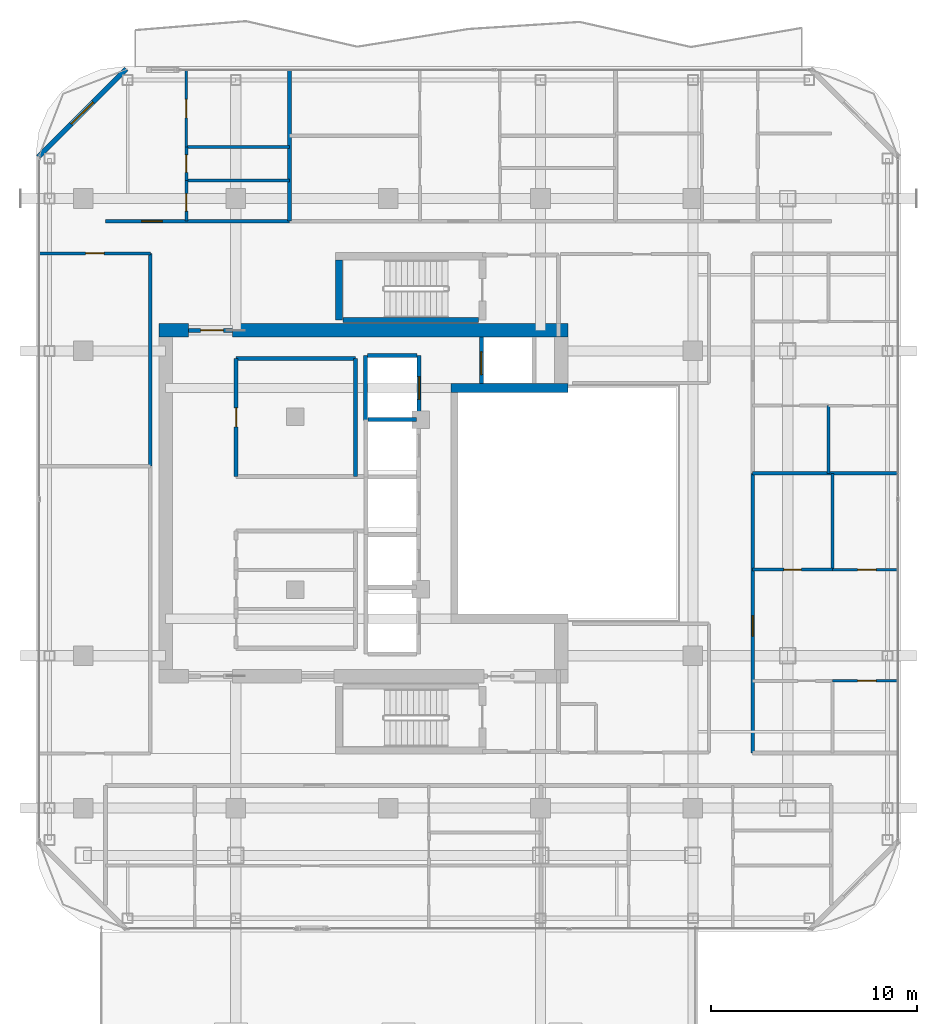
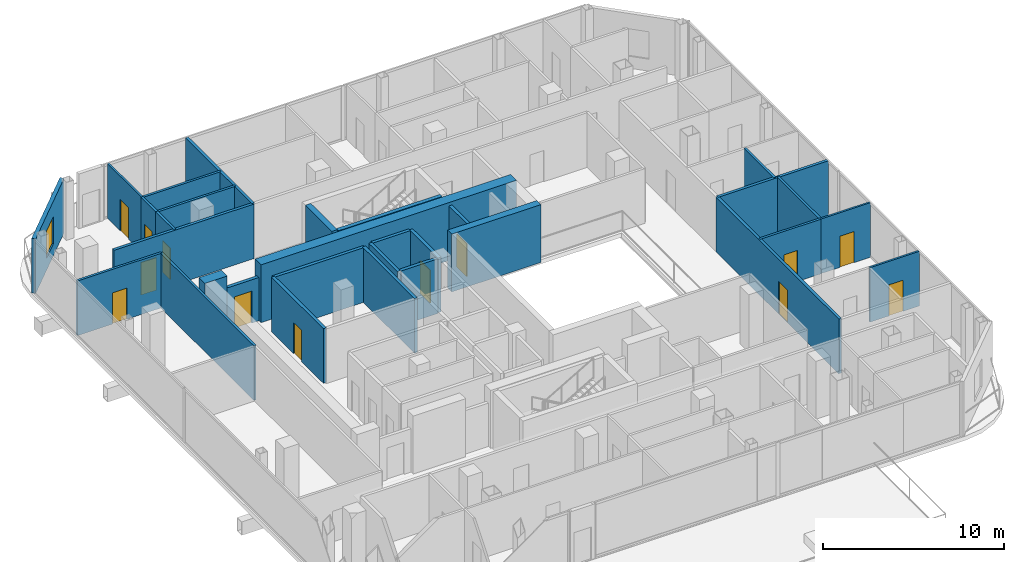
# One storey, part 20 of 25: 31 walls, 13 doors, 1 window, 14 openings.
"""IFC4 building model written with IfcOpenShell, lengths in metres."""

from ifc_helpers import new_model, si_unit, direction, frame, frame_2d, origin, place, context, subcontext, project, spatial, rectangle, extrude, material, layer, layer_set, type_object, element, fill, save


model = new_model("IFC4")

# Units and contexts
model_context = context("Model", 3, precision=1e-05, world=origin(), true_north=direction((0.0, 1.0)))
body_context = subcontext(model_context, "Body", "Model", "MODEL_VIEW")
ifc_project = project(units=[si_unit("LENGTHUNIT", "METRE"), si_unit("AREAUNIT", "SQUARE_METRE"), si_unit("VOLUMEUNIT", "CUBIC_METRE"), si_unit("PLANEANGLEUNIT", "RADIAN"), si_unit("MASSUNIT", "GRAM", prefix="KILO")], contexts=[model_context])

# Site, building, storey
site_placement = place(None, origin())
site = spatial("IfcSite", under=ifc_project, at=site_placement, CompositionType="ELEMENT")
building_placement = place(site_placement, origin())
building = spatial("IfcBuilding", under=site, at=building_placement, Name="Khorvyn Point Tower", CompositionType="ELEMENT")
storey_placement = place(building_placement, frame((0.0, 0.0, 254.699951171875)))
storey = spatial("IfcBuildingStorey", under=building, at=storey_placement, Name="L62", CompositionType="ELEMENT", Elevation=254.699951171875)

# Wall, opening, door
ifc_material_1 = material(Name="Double acoustic gypsum on twin steel stud", Category="steel")
ifc_layer_1 = layer(ifc_material_1, 0.179931640625)
ifc_layer_set_1 = layer_set([ifc_layer_1], Name="Acoustic Double-Stud Apartment Demising Wall 180")
wall_type_1 = type_object("IfcWallType", Name="Acoustic Double-Stud Apartment Demising Wall 180", PredefinedType="PARTITIONING", material=ifc_layer_set_1)
wall_1_placement = place(storey_placement, frame((-13.719970703125, 13.699951171875, 0.0), z_axis=(0.0, 0.0, 1.0), x_axis=(1.0, 0.0, 0.0)))
wall_1 = element("IfcWall", 1, at=wall_1_placement, inside=storey, type_object=wall_type_1, Name="Wall", PredefinedType="PARTITIONING", context=body_context, shape_type="SweptSolid", body=[
    extrude(rectangle(XDim=8.927001953125, YDim=0.179931640625, at=frame_2d((4.46337890625, 0.0))), origin(), (0.0, 0.0, 1.0), 3.679931640625),
])
opening_1_placement = place(wall_1_placement, frame((1.752197265625, 0.0, 0.0)))
opening_1 = element("IfcOpeningElement", 2, at=opening_1_placement, cuts=wall_1, Name="Opening ID-AP60", PredefinedType="OPENING", context=body_context, shape_type="SweptSolid", body=[
    extrude(rectangle(XDim=1.0, YDim=2.199951171875, at=frame_2d((0.5, 1.10009765625))), frame((0.0, 0.099853515625, 0.0), z_axis=(0.0, -1.0, 0.0), x_axis=(1.0, 0.0, 0.0)), (0.0, 0.0, 1.0), 0.199951171875),
])
ifc_material_2 = material(Name="Engineered hardwood fire-rated leaf", Category="wood")
door_type_1 = type_object("IfcDoorType", Name="Acoustic Solid-Core Timber Apartment Entrance Door 1000x2200", OperationType="NOTDEFINED", PredefinedType="DOOR", material=ifc_material_2)
door_1_placement = place(opening_1_placement, origin())
door_1 = element("IfcDoor", 3, at=door_1_placement, inside=storey, type_object=door_type_1, Name="Door", OperationType="SINGLE_SWING_LEFT", OverallHeight=2.199951171875, OverallWidth=1.0, PredefinedType="DOOR", context=body_context, shape_type="SweptSolid", body=[
    extrude(rectangle(XDim=1.0, YDim=2.199951171875, at=frame_2d((0.5, 1.10009765625))), frame((0.0, 0.02490234375, 0.0), z_axis=(0.0, -1.0, 0.0), x_axis=(1.0, 0.0, 0.0)), (0.0, 0.0, 1.0), 0.050048828125),
])
fill(opening_1, door_1)

wall_2_placement = place(storey_placement, frame((17.699951171875, -12.1201171875, 0.0), z_axis=(0.0, 0.0, 1.0), x_axis=(0.0, 1.0, 0.0)))
wall_2 = element("IfcWall", 4, at=wall_2_placement, inside=storey, type_object=wall_type_1, Name="Wall", PredefinedType="PARTITIONING", context=body_context, shape_type="SweptSolid", body=[
    extrude(rectangle(XDim=13.57421875, YDim=0.179931640625, at=frame_2d((6.787109375, 0.0))), origin(), (0.0, 0.0, 1.0), 3.679931640625),
])
opening_2_placement = place(wall_2_placement, frame((5.665283203125, 0.0, 0.0)))
opening_2 = element("IfcOpeningElement", 5, at=opening_2_placement, cuts=wall_2, Name="Opening ID-AP60", PredefinedType="OPENING", context=body_context, shape_type="SweptSolid", body=[
    extrude(rectangle(XDim=1.0, YDim=2.199951171875, at=frame_2d((0.5, 1.10009765625))), frame((0.0, 0.099853515625, 0.0), z_axis=(0.0, -1.0, 0.0), x_axis=(1.0, 0.0, 0.0)), (0.0, 0.0, 1.0), 0.199951171875),
])
door_2_placement = place(opening_2_placement, origin())
door_2 = element("IfcDoor", 6, at=door_2_placement, inside=storey, type_object=door_type_1, Name="Door", OperationType="SINGLE_SWING_LEFT", OverallHeight=2.199951171875, OverallWidth=1.0, PredefinedType="DOOR", context=body_context, shape_type="SweptSolid", body=[
    extrude(rectangle(XDim=1.0, YDim=2.199951171875, at=frame_2d((0.5, 1.10009765625))), frame((0.0, 0.02490234375, 0.0), z_axis=(0.0, -1.0, 0.0), x_axis=(1.0, 0.0, 0.0)), (0.0, 0.0, 1.0), 0.050048828125),
])
fill(opening_2, door_2)

# Walls
wall_3_placement = place(storey_placement, frame((-4.79296875, 13.699951171875, 0.0), z_axis=(0.0, 0.0, 1.0), x_axis=(0.0, 1.0, 0.0)))
element("IfcWall", 7, at=wall_3_placement, inside=storey, type_object=wall_type_1, Name="Wall", PredefinedType="PARTITIONING", context=body_context, shape_type="SweptSolid", body=[
    extrude(rectangle(XDim=7.330078125, YDim=0.179931640625, at=frame_2d((3.6650390625, 0.0))), origin(), (0.0, 0.0, 1.0), 3.679931640625),
])
wall_4_placement = place(storey_placement, frame((17.699951171875, 1.4541015625, 0.0), z_axis=(0.0, 0.0, 1.0), x_axis=(1.0, 0.0, 0.0)))
element("IfcWall", 8, at=wall_4_placement, inside=storey, type_object=wall_type_1, Name="Wall", PredefinedType="PARTITIONING", context=body_context, shape_type="SweptSolid", body=[
    extrude(rectangle(XDim=7.030029296875, YDim=0.179931640625, at=frame_2d((3.51513671875, 0.0))), origin(), (0.0, 0.0, 1.0), 3.679931640625),
])

# Wall, opening, window
ifc_material_3 = material(Name="Pale anodised aluminium rainscreen on steel stud", Category="steel")
ifc_layer_2 = layer(ifc_material_3, 0.239990234375)
ifc_layer_set_2 = layer_set([ifc_layer_2], Name="Anodised Aluminium Insulated Corner Spandrel Wall 240")
wall_type_2 = type_object("IfcWallType", Name="Anodised Aluminium Insulated Corner Spandrel Wall 240", PredefinedType="SOLIDWALL", material=ifc_layer_set_2)
wall_5_placement = place(storey_placement, frame((-16.992431640625, 16.8076171875, 0.0), z_axis=(0.0, 0.0, 1.0), x_axis=(0.707126925818, 0.707086635981, 0.0)))
wall_5 = element("IfcWall", 9, at=wall_5_placement, inside=storey, type_object=wall_type_2, Name="L62 Rounded Corner Wall NW", PredefinedType="SOLIDWALL", context=body_context, shape_type="SweptSolid", body=[
    extrude(rectangle(XDim=6.0595703125, YDim=0.239990234375, at=frame_2d((3.02978515625, 0.0))), origin(), (0.0, 0.0, 1.0), 3.679931640625),
])
opening_3_placement = place(wall_5_placement, frame((2.27978515625, 0.0, 0.800048828125)))
opening_3 = element("IfcOpeningElement", 10, at=opening_3_placement, cuts=wall_5, Name="Opening WN-1518", PredefinedType="OPENING", context=body_context, shape_type="SweptSolid", body=[
    extrude(rectangle(XDim=1.5, YDim=1.85009765625, at=frame_2d((0.75, 0.925048828125))), frame((0.0, 0.1298828125, 0.0), z_axis=(0.0, -1.0, 0.0), x_axis=(1.0, 0.0, 0.0)), (0.0, 0.0, 1.0), 0.260009765625),
])
ifc_material_4 = material(Name="Anodised aluminium 6063-T6 and laminated Low-E glass", Category="aluminium")
window_type = type_object("IfcWindowType", Name="Anodised Aluminium Rounded-Corner Panoramic Window 1500x1850", PartitioningType="SINGLE_PANEL", PredefinedType="WINDOW", material=ifc_material_4)
window_placement = place(opening_3_placement, origin())
window = element("IfcWindow", 11, at=window_placement, inside=storey, type_object=window_type, Name="L62 Corner Panoramic Window NW", OverallHeight=1.85009765625, OverallWidth=1.5, PartitioningType="SINGLE_PANEL", PredefinedType="WINDOW", context=body_context, shape_type="SweptSolid", body=[
    extrude(rectangle(XDim=1.5, YDim=1.85009765625, at=frame_2d((0.75, 0.925048828125))), frame((0.0, 0.030029296875, 0.0), z_axis=(0.0, -1.0, 0.0), x_axis=(1.0, 0.0, 0.0)), (0.0, 0.0, 1.0), 0.06005859375),
])
fill(opening_3, window)

# Walls
ifc_material_5 = material(Name="Concrete C40/50", Category="concrete")
ifc_layer_3 = layer(ifc_material_5, 0.449951171875)
ifc_layer_set_3 = layer_set([ifc_layer_3], Name="Concrete C40/50 Core Shear Wall 450")
wall_type_3 = type_object("IfcWallType", Name="Concrete C40/50 Core Shear Wall 450", PredefinedType="SHEAR", material=ifc_layer_set_3)
wall_6_placement = place(storey_placement, frame((3.044921875, 5.60009765625, 0.0), z_axis=(0.0, 0.0, 1.0), x_axis=(1.0, 0.0, 0.0)))
element("IfcWall", 12, at=wall_6_placement, inside=storey, type_object=wall_type_3, Name="Wall", PredefinedType="SHEAR", context=body_context, shape_type="SweptSolid", body=[
    extrude(rectangle(XDim=5.68017578125, YDim=0.449951171875, at=frame_2d((2.840087890625, 0.0))), origin(), (0.0, 0.0, 1.0), 3.900146484375),
])
ifc_layer_4 = layer(ifc_material_5, 0.64990234375)
ifc_layer_set_4 = layer_set([ifc_layer_4], Name="Concrete C40/50 Core Shear Wall 650")
wall_type_4 = type_object("IfcWallType", Name="Concrete C40/50 Core Shear Wall 650", PredefinedType="SHEAR", material=ifc_layer_set_4)
wall_7_placement = place(storey_placement, frame((-11.125, 8.39990234375, 0.0), z_axis=(0.0, 0.0, 1.0), x_axis=(1.0, 0.0, 0.0)))
element("IfcWall", 13, at=wall_7_placement, inside=storey, type_object=wall_type_4, Name="Wall", PredefinedType="SHEAR", context=body_context, shape_type="SweptSolid", body=[
    extrude(rectangle(XDim=1.425048828125, YDim=0.64990234375, at=frame_2d((0.71240234375, 0.0))), origin(), (0.0, 0.0, 1.0), 3.900146484375),
])
wall_8_placement = place(storey_placement, frame((-7.550048828125, 8.39990234375, 0.0), z_axis=(0.0, 0.0, 1.0), x_axis=(1.0, 0.0, 0.0)))
element("IfcWall", 14, at=wall_8_placement, inside=storey, type_object=wall_type_4, Name="Wall", PredefinedType="SHEAR", context=body_context, shape_type="SweptSolid", body=[
    extrude(rectangle(XDim=16.275146484375, YDim=0.64990234375, at=frame_2d((8.1376953125, 0.0))), origin(), (0.0, 0.0, 1.0), 3.900146484375),
])

# Wall, opening, door
ifc_layer_5 = layer(ifc_material_5, 0.199951171875)
ifc_layer_set_5 = layer_set([ifc_layer_5], Name="Concrete C40/50 Fire-Lobby Compartment Wall 200")
wall_type_5 = type_object("IfcWallType", Name="Concrete C40/50 Fire-Lobby Compartment Wall 200", PredefinedType="SOLIDWALL", material=ifc_layer_set_5)
wall_9_placement = place(storey_placement, frame((-9.699951171875, 8.39990234375, 0.0), z_axis=(0.0, 0.0, 1.0), x_axis=(1.0, 0.0, 0.0)))
wall_9 = element("IfcWall", 15, at=wall_9_placement, inside=storey, type_object=wall_type_5, Name="Wall", PredefinedType="SOLIDWALL", context=body_context, shape_type="SweptSolid", body=[
    extrude(rectangle(XDim=2.14990234375, YDim=0.199951171875, at=frame_2d((1.074951171875, 0.0))), origin(), (0.0, 0.0, 1.0), 2.920166015625),
])
opening_4_placement = place(wall_9_placement, frame((0.597900390625, 0.0, 0.0)))
opening_4 = element("IfcOpeningElement", 16, at=opening_4_placement, cuts=wall_9, Name="Opening ID-FL90", PredefinedType="OPENING", context=body_context, shape_type="SweptSolid", body=[
    extrude(rectangle(XDim=1.10009765625, YDim=2.14990234375, at=frame_2d((0.550048828125, 1.074951171875))), frame((0.0, 0.10986328125, 0.0), z_axis=(0.0, -1.0, 0.0), x_axis=(1.0, 0.0, 0.0)), (0.0, 0.0, 1.0), 0.219970703125),
])
ifc_material_6 = material(Name="Galvanised powder-coated steel", Category="steel")
door_type_2 = type_object("IfcDoorType", Name="Fire-Rated Steel Lobby and Stair Door 1100x2150", OperationType="NOTDEFINED", PredefinedType="DOOR", material=ifc_material_6)
door_3_placement = place(opening_4_placement, origin())
door_3 = element("IfcDoor", 17, at=door_3_placement, inside=storey, type_object=door_type_2, Name="Door", OperationType="SINGLE_SWING_LEFT", OverallHeight=2.14990234375, OverallWidth=1.10009765625, PredefinedType="DOOR", context=body_context, shape_type="SweptSolid", body=[
    extrude(rectangle(XDim=1.10009765625, YDim=2.14990234375, at=frame_2d((0.550048828125, 1.074951171875))), frame((0.0, 0.02490234375, 0.0), z_axis=(0.0, -1.0, 0.0), x_axis=(1.0, 0.0, 0.0)), (0.0, 0.0, 1.0), 0.050048828125),
])
fill(opening_4, door_3)

wall_10_placement = place(storey_placement, frame((-7.3798828125, 1.300048828125, 0.0), z_axis=(0.0, 0.0, 1.0), x_axis=(0.0, 1.0, 0.0)))
wall_10 = element("IfcWall", 18, at=wall_10_placement, inside=storey, type_object=wall_type_5, Name="Wall", PredefinedType="SOLIDWALL", context=body_context, shape_type="SweptSolid", body=[
    extrude(rectangle(XDim=5.739990234375, YDim=0.199951171875, at=frame_2d((2.8701171875, 0.0))), origin(), (0.0, 0.0, 1.0), 3.679931640625),
])
opening_5_placement = place(wall_10_placement, frame((2.409912109375, 0.0, 0.0)))
opening_5 = element("IfcOpeningElement", 19, at=opening_5_placement, cuts=wall_10, Name="Opening ID-RS60", PredefinedType="OPENING", context=body_context, shape_type="SweptSolid", body=[
    extrude(rectangle(XDim=0.919921875, YDim=2.10009765625, at=frame_2d((0.4599609375, 1.050048828125))), frame((0.0, 0.10986328125, 0.0), z_axis=(0.0, -1.0, 0.0), x_axis=(1.0, 0.0, 0.0)), (0.0, 0.0, 1.0), 0.219970703125),
])
door_type_3 = type_object("IfcDoorType", Name="Fire-Rated Riser and Store Steel Door 920x2100", OperationType="NOTDEFINED", PredefinedType="DOOR", material=ifc_material_6)
door_4_placement = place(opening_5_placement, origin())
door_4 = element("IfcDoor", 20, at=door_4_placement, inside=storey, type_object=door_type_3, Name="Door", OperationType="SINGLE_SWING_LEFT", OverallHeight=2.10009765625, OverallWidth=0.919921875, PredefinedType="DOOR", context=body_context, shape_type="SweptSolid", body=[
    extrude(rectangle(XDim=0.919921875, YDim=2.10009765625, at=frame_2d((0.4599609375, 1.050048828125))), frame((0.0, 0.02490234375, 0.0), z_axis=(0.0, -1.0, 0.0), x_axis=(1.0, 0.0, 0.0)), (0.0, 0.0, 1.0), 0.050048828125),
])
fill(opening_5, door_4)

# Walls
wall_11_placement = place(storey_placement, frame((-1.580078125, 1.300048828125, 0.0), z_axis=(0.0, 0.0, 1.0), x_axis=(0.0, 1.0, 0.0)))
element("IfcWall", 21, at=wall_11_placement, inside=storey, type_object=wall_type_5, Name="Wall", PredefinedType="SOLIDWALL", context=body_context, shape_type="SweptSolid", body=[
    extrude(rectangle(XDim=5.739990234375, YDim=0.199951171875, at=frame_2d((2.8701171875, 0.0))), origin(), (0.0, 0.0, 1.0), 3.679931640625),
])
wall_12_placement = place(storey_placement, frame((-7.3798828125, 7.0400390625, 0.0), z_axis=(0.0, 0.0, 1.0), x_axis=(1.0, 0.0, 0.0)))
element("IfcWall", 22, at=wall_12_placement, inside=storey, type_object=wall_type_5, Name="Wall", PredefinedType="SOLIDWALL", context=body_context, shape_type="SweptSolid", body=[
    extrude(rectangle(XDim=5.7998046875, YDim=0.199951171875, at=frame_2d((2.89990234375, 0.0))), origin(), (0.0, 0.0, 1.0), 3.679931640625),
])
ifc_layer_6 = layer(ifc_material_5, 0.25)
ifc_layer_set_6 = layer_set([ifc_layer_6], Name="Concrete C40/50 Stair Inner Cheek Structural Wall 250")
wall_type_6 = type_object("IfcWallType", Name="Concrete C40/50 Stair Inner Cheek Structural Wall 250", PredefinedType="SHEAR", material=ifc_layer_set_6)
wall_13_placement = place(storey_placement, frame((-2.199951171875, 8.89990234375, 0.0), z_axis=(0.0, 0.0, 1.0), x_axis=(1.0, 0.0, 0.0)))
element("IfcWall", 23, at=wall_13_placement, inside=storey, type_object=wall_type_6, Name="Wall", PredefinedType="SHEAR", context=body_context, shape_type="SweptSolid", body=[
    extrude(rectangle(XDim=6.599853515625, YDim=0.25, at=frame_2d((3.2998046875, 0.0))), origin(), (0.0, 0.0, 1.0), 3.900146484375),
])
ifc_layer_7 = layer(ifc_material_5, 0.35009765625)
ifc_layer_set_7 = layer_set([ifc_layer_7], Name="Concrete C40/50 Stair Shaft Structural Wall 350")
wall_type_7 = type_object("IfcWallType", Name="Concrete C40/50 Stair Shaft Structural Wall 350", PredefinedType="SHEAR", material=ifc_layer_set_7)
wall_14_placement = place(storey_placement, frame((-2.3798828125, 8.89990234375, 0.0), z_axis=(0.0, 0.0, 1.0), x_axis=(0.0, 1.0, 0.0)))
element("IfcWall", 24, at=wall_14_placement, inside=storey, type_object=wall_type_7, Name="L62 ST-02 West Shaft Wall", PredefinedType="SHEAR", context=body_context, shape_type="SweptSolid", body=[
    extrude(rectangle(XDim=2.925048828125, YDim=0.35009765625, at=frame_2d((1.46240234375, 0.0))), origin(), (0.0, 0.0, 1.0), 3.900146484375),
])
ifc_layer_8 = layer(ifc_material_5, 0.199951171875)
ifc_layer_set_8 = layer_set([ifc_layer_8], Name="Concrete C40/50 Structural Hoistway and Stair Shaft Wall 200")
wall_type_8 = type_object("IfcWallType", Name="Concrete C40/50 Structural Hoistway and Stair Shaft Wall 200", PredefinedType="SHEAR", material=ifc_layer_set_8)
wall_15_placement = place(storey_placement, frame((-0.97509765625, 4.074951171875, 0.0), z_axis=(0.0, 0.0, 1.0), x_axis=(1.0, 0.0, 0.0)))
element("IfcWall", 25, at=wall_15_placement, inside=storey, type_object=wall_type_8, Name="Wall", PredefinedType="SHEAR", context=body_context, shape_type="SweptSolid", body=[
    extrude(rectangle(XDim=2.35009765625, YDim=0.199951171875, at=frame_2d((1.175048828125, 0.0))), origin(), (0.0, 0.0, 1.0), 3.679931640625),
])
wall_16_placement = place(storey_placement, frame((-1.10009765625, 4.02490234375, 0.0), z_axis=(0.0, 0.0, 1.0), x_axis=(0.0, 1.0, 0.0)))
element("IfcWall", 26, at=wall_16_placement, inside=storey, type_object=wall_type_8, Name="Wall", PredefinedType="SHEAR", context=body_context, shape_type="SweptSolid", body=[
    extrude(rectangle(XDim=3.150146484375, YDim=0.199951171875, at=frame_2d((1.5751953125, 0.0))), origin(), (0.0, 0.0, 1.0), 3.679931640625),
])

# Wall, opening, door
wall_17_placement = place(storey_placement, frame((1.5, 4.02490234375, 0.0), z_axis=(0.0, 0.0, 1.0), x_axis=(0.0, 1.0, 0.0)))
wall_17 = element("IfcWall", 27, at=wall_17_placement, inside=storey, type_object=wall_type_8, Name="Wall", PredefinedType="SHEAR", context=body_context, shape_type="SweptSolid", body=[
    extrude(rectangle(XDim=3.150146484375, YDim=0.199951171875, at=frame_2d((1.5751953125, 0.0))), origin(), (0.0, 0.0, 1.0), 3.679931640625),
])
opening_6_placement = place(wall_17_placement, frame((1.02490234375, 0.0, 0.0)))
opening_6 = element("IfcOpeningElement", 28, at=opening_6_placement, cuts=wall_17, Name="Opening LD-1122", PredefinedType="OPENING", context=body_context, shape_type="SweptSolid", body=[
    extrude(rectangle(XDim=1.10009765625, YDim=2.199951171875, at=frame_2d((0.550048828125, 1.10009765625))), frame((0.0, 0.10986328125, 0.0), z_axis=(0.0, -1.0, 0.0), x_axis=(1.0, 0.0, 0.0)), (0.0, 0.0, 1.0), 0.219970703125),
])
ifc_material_7 = material(Name="Stainless steel 1.4301", Category="steel")
door_type_4 = type_object("IfcDoorType", Name="Stainless Steel Automatic Sliding Lift Landing Door 1100x2200", OperationType="SLIDING_TO_LEFT", PredefinedType="DOOR", material=ifc_material_7)
door_5_placement = place(opening_6_placement, origin())
door_5 = element("IfcDoor", 29, at=door_5_placement, inside=storey, type_object=door_type_4, Name="L62 SV-01 Sliding Lift Landing Door", OperationType="SLIDING_TO_LEFT", OverallHeight=2.199951171875, OverallWidth=1.10009765625, PredefinedType="DOOR", context=body_context, shape_type="SweptSolid", body=[
    extrude(rectangle(XDim=1.10009765625, YDim=2.199951171875, at=frame_2d((0.550048828125, 1.10009765625))), frame((0.0, 0.02490234375, 0.0), z_axis=(0.0, -1.0, 0.0), x_axis=(1.0, 0.0, 0.0)), (0.0, 0.0, 1.0), 0.050048828125),
])
fill(opening_6, door_5)

# Wall
wall_18_placement = place(storey_placement, frame((-1.0, 7.175048828125, 0.0), z_axis=(0.0, 0.0, 1.0), x_axis=(1.0, 0.0, 0.0)))
element("IfcWall", 30, at=wall_18_placement, inside=storey, type_object=wall_type_8, Name="Wall", PredefinedType="SHEAR", context=body_context, shape_type="SweptSolid", body=[
    extrude(rectangle(XDim=2.39990234375, YDim=0.199951171875, at=frame_2d((1.199951171875, 0.0))), origin(), (0.0, 0.0, 1.0), 3.679931640625),
])

# Wall, opening, door
wall_19_placement = place(storey_placement, frame((4.52490234375, 5.824951171875, 0.0), z_axis=(0.0, 0.0, 1.0), x_axis=(0.0, 1.0, 0.0)))
wall_19 = element("IfcWall", 31, at=wall_19_placement, inside=storey, type_object=wall_type_8, Name="Wall", PredefinedType="SHEAR", context=body_context, shape_type="SweptSolid", body=[
    extrude(rectangle(XDim=2.25, YDim=0.199951171875, at=frame_2d((1.125, 0.0))), origin(), (0.0, 0.0, 1.0), 3.679931640625),
])
opening_7_placement = place(wall_19_placement, frame((0.425048828125, 0.0, 0.0)))
opening_7 = element("IfcOpeningElement", 32, at=opening_7_placement, cuts=wall_19, Name="Opening LD-1122", PredefinedType="OPENING", context=body_context, shape_type="SweptSolid", body=[
    extrude(rectangle(XDim=1.10009765625, YDim=2.199951171875, at=frame_2d((0.550048828125, 1.10009765625))), frame((0.0, 0.10986328125, 0.0), z_axis=(0.0, -1.0, 0.0), x_axis=(1.0, 0.0, 0.0)), (0.0, 0.0, 1.0), 0.219970703125),
])
door_6_placement = place(opening_7_placement, origin())
door_6 = element("IfcDoor", 33, at=door_6_placement, inside=storey, type_object=door_type_4, Name="L62 FF-02 Sliding Lift Landing Door", OperationType="SLIDING_TO_LEFT", OverallHeight=2.199951171875, OverallWidth=1.10009765625, PredefinedType="DOOR", context=body_context, shape_type="SweptSolid", body=[
    extrude(rectangle(XDim=1.10009765625, YDim=2.199951171875, at=frame_2d((0.550048828125, 1.10009765625))), frame((0.0, 0.02490234375, 0.0), z_axis=(0.0, -1.0, 0.0), x_axis=(1.0, 0.0, 0.0)), (0.0, 0.0, 1.0), 0.050048828125),
])
fill(opening_7, door_6)

ifc_material_8 = material(Name="Gypsum plasterboard on steel stud", Category="steel")
ifc_layer_9 = layer(ifc_material_8, 0.1201171875)
ifc_layer_set_9 = layer_set([ifc_layer_9], Name="Gypsum Acoustic Stud Room Partition Wall 120")
wall_type_9 = type_object("IfcWallType", Name="Gypsum Acoustic Stud Room Partition Wall 120", PredefinedType="PARTITIONING", material=ifc_layer_set_9)
wall_20_placement = place(storey_placement, frame((-9.7919921875, 17.303955078125, 0.0), z_axis=(0.0, 0.0, 1.0), x_axis=(0.0, 1.0, 0.0)))
wall_20 = element("IfcWall", 34, at=wall_20_placement, inside=storey, type_object=wall_type_9, Name="Wall", PredefinedType="PARTITIONING", context=body_context, shape_type="SweptSolid", body=[
    extrude(rectangle(XDim=3.72607421875, YDim=0.1201171875, at=frame_2d((1.863037109375, 0.0))), origin(), (0.0, 0.0, 1.0), 3.679931640625),
])
opening_8_placement = place(wall_20_placement, frame((1.4130859375, 0.0, 0.0)))
opening_8 = element("IfcOpeningElement", 35, at=opening_8_placement, cuts=wall_20, Name="Opening ID-RM90", PredefinedType="OPENING", context=body_context, shape_type="SweptSolid", body=[
    extrude(rectangle(XDim=0.89990234375, YDim=2.10009765625, at=frame_2d((0.449951171875, 1.050048828125))), frame((0.0, 0.070068359375, 0.0), z_axis=(0.0, -1.0, 0.0), x_axis=(1.0, 0.0, 0.0)), (0.0, 0.0, 1.0), 0.14013671875),
])
ifc_material_9 = material(Name="Engineered oak veneer timber", Category="wood")
door_type_5 = type_object("IfcDoorType", Name="Flush Engineered Timber Room Door 900x2100", OperationType="NOTDEFINED", PredefinedType="DOOR", material=ifc_material_9)
door_7_placement = place(opening_8_placement, origin())
door_7 = element("IfcDoor", 36, at=door_7_placement, inside=storey, type_object=door_type_5, Name="Door", OperationType="SINGLE_SWING_RIGHT", OverallHeight=2.10009765625, OverallWidth=0.89990234375, PredefinedType="DOOR", context=body_context, shape_type="SweptSolid", body=[
    extrude(rectangle(XDim=0.89990234375, YDim=2.10009765625, at=frame_2d((0.449951171875, 1.050048828125))), frame((0.0, 0.02490234375, 0.0), z_axis=(0.0, -1.0, 0.0), x_axis=(1.0, 0.0, 0.0)), (0.0, 0.0, 1.0), 0.050048828125),
])
fill(opening_8, door_7)

wall_21_placement = place(storey_placement, frame((21.5791015625, -8.626953125, 0.0), z_axis=(0.0, 0.0, 1.0), x_axis=(1.0, 0.0, 0.0)))
wall_21 = element("IfcWall", 37, at=wall_21_placement, inside=storey, type_object=wall_type_9, Name="Wall", PredefinedType="PARTITIONING", context=body_context, shape_type="SweptSolid", body=[
    extrude(rectangle(XDim=3.15087890625, YDim=0.1201171875, at=frame_2d((1.575439453125, 0.0))), origin(), (0.0, 0.0, 1.0), 3.679931640625),
])
opening_9_placement = place(wall_21_placement, frame((1.21337890625, 0.0, 0.0)))
opening_9 = element("IfcOpeningElement", 38, at=opening_9_placement, cuts=wall_21, Name="Opening ID-RM90", PredefinedType="OPENING", context=body_context, shape_type="SweptSolid", body=[
    extrude(rectangle(XDim=0.89990234375, YDim=2.10009765625, at=frame_2d((0.449951171875, 1.050048828125))), frame((0.0, 0.070068359375, 0.0), z_axis=(0.0, -1.0, 0.0), x_axis=(1.0, 0.0, 0.0)), (0.0, 0.0, 1.0), 0.14013671875),
])
door_8_placement = place(opening_9_placement, origin())
door_8 = element("IfcDoor", 39, at=door_8_placement, inside=storey, type_object=door_type_5, Name="Door", OperationType="SINGLE_SWING_RIGHT", OverallHeight=2.10009765625, OverallWidth=0.89990234375, PredefinedType="DOOR", context=body_context, shape_type="SweptSolid", body=[
    extrude(rectangle(XDim=0.89990234375, YDim=2.10009765625, at=frame_2d((0.449951171875, 1.050048828125))), frame((0.0, 0.02490234375, 0.0), z_axis=(0.0, -1.0, 0.0), x_axis=(1.0, 0.0, 0.0)), (0.0, 0.0, 1.0), 0.050048828125),
])
fill(opening_9, door_8)

wall_22_placement = place(storey_placement, frame((21.5791015625, -3.222900390625, 0.0), z_axis=(0.0, 0.0, 1.0), x_axis=(1.0, 0.0, 0.0)))
wall_22 = element("IfcWall", 40, at=wall_22_placement, inside=storey, type_object=wall_type_9, Name="Wall", PredefinedType="PARTITIONING", context=body_context, shape_type="SweptSolid", body=[
    extrude(rectangle(XDim=3.15087890625, YDim=0.1201171875, at=frame_2d((1.575439453125, 0.0))), origin(), (0.0, 0.0, 1.0), 3.679931640625),
])
opening_10_placement = place(wall_22_placement, frame((1.21337890625, 0.0, 0.0)))
opening_10 = element("IfcOpeningElement", 41, at=opening_10_placement, cuts=wall_22, Name="Opening ID-RM90", PredefinedType="OPENING", context=body_context, shape_type="SweptSolid", body=[
    extrude(rectangle(XDim=0.89990234375, YDim=2.10009765625, at=frame_2d((0.449951171875, 1.050048828125))), frame((0.0, 0.070068359375, 0.0), z_axis=(0.0, -1.0, 0.0), x_axis=(1.0, 0.0, 0.0)), (0.0, 0.0, 1.0), 0.14013671875),
])
door_9_placement = place(opening_10_placement, origin())
door_9 = element("IfcDoor", 42, at=door_9_placement, inside=storey, type_object=door_type_5, Name="Door", OperationType="SINGLE_SWING_LEFT", OverallHeight=2.10009765625, OverallWidth=0.89990234375, PredefinedType="DOOR", context=body_context, shape_type="SweptSolid", body=[
    extrude(rectangle(XDim=0.89990234375, YDim=2.10009765625, at=frame_2d((0.449951171875, 1.050048828125))), frame((0.0, 0.02490234375, 0.0), z_axis=(0.0, -1.0, 0.0), x_axis=(1.0, 0.0, 0.0)), (0.0, 0.0, 1.0), 0.050048828125),
])
fill(opening_10, door_9)

ifc_material_10 = material(Name="Moisture-resistant gypsum and cement board", Category="gypsum")
ifc_layer_10 = layer(ifc_material_10, 0.14990234375)
ifc_layer_set_10 = layer_set([ifc_layer_10], Name="Moisture-Resistant Wet-Room Partition Wall 150")
wall_type_10 = type_object("IfcWallType", Name="Moisture-Resistant Wet-Room Partition Wall 150", PredefinedType="PARTITIONING", material=ifc_layer_set_10)
wall_23_placement = place(storey_placement, frame((-9.7919921875, 13.699951171875, 0.0), z_axis=(0.0, 0.0, 1.0), x_axis=(0.0, 1.0, 0.0)))
wall_23 = element("IfcWall", 43, at=wall_23_placement, inside=storey, type_object=wall_type_10, Name="Wall", PredefinedType="PARTITIONING", context=body_context, shape_type="SweptSolid", body=[
    extrude(rectangle(XDim=1.98193359375, YDim=0.14990234375, at=frame_2d((0.990966796875, 0.0))), origin(), (0.0, 0.0, 1.0), 3.679931640625),
])
opening_11_placement = place(wall_23_placement, frame((0.48486328125, 0.0, 0.0)))
opening_11 = element("IfcOpeningElement", 44, at=opening_11_placement, cuts=wall_23, Name="Opening ID-WC85", PredefinedType="OPENING", context=body_context, shape_type="SweptSolid", body=[
    extrude(rectangle(XDim=0.85009765625, YDim=2.10009765625, at=frame_2d((0.425048828125, 1.050048828125))), frame((0.0, 0.0849609375, 0.0), z_axis=(0.0, -1.0, 0.0), x_axis=(1.0, 0.0, 0.0)), (0.0, 0.0, 1.0), 0.169921875),
])
ifc_material_11 = material(Name="High-pressure laminate on moisture-resistant core", Category="wood")
door_type_6 = type_object("IfcDoorType", Name="Moisture-Resistant Accessible Washroom Door 850x2100", OperationType="NOTDEFINED", PredefinedType="DOOR", material=ifc_material_11)
door_10_placement = place(opening_11_placement, origin())
door_10 = element("IfcDoor", 45, at=door_10_placement, inside=storey, type_object=door_type_6, Name="Door", OperationType="SINGLE_SWING_RIGHT", OverallHeight=2.10009765625, OverallWidth=0.85009765625, PredefinedType="DOOR", context=body_context, shape_type="SweptSolid", body=[
    extrude(rectangle(XDim=0.85009765625, YDim=2.10009765625, at=frame_2d((0.425048828125, 1.050048828125))), frame((0.0, 0.02490234375, 0.0), z_axis=(0.0, -1.0, 0.0), x_axis=(1.0, 0.0, 0.0)), (0.0, 0.0, 1.0), 0.050048828125),
])
fill(opening_11, door_10)

wall_24_placement = place(storey_placement, frame((-9.7919921875, 15.681884765625, 0.0), z_axis=(0.0, 0.0, 1.0), x_axis=(0.0, 1.0, 0.0)))
wall_24 = element("IfcWall", 46, at=wall_24_placement, inside=storey, type_object=wall_type_10, Name="Wall", PredefinedType="PARTITIONING", context=body_context, shape_type="SweptSolid", body=[
    extrude(rectangle(XDim=1.6220703125, YDim=0.14990234375, at=frame_2d((0.81103515625, 0.0))), origin(), (0.0, 0.0, 1.0), 3.679931640625),
])
opening_12_placement = place(wall_24_placement, frame((0.385986328125, 0.0, 0.0)))
opening_12 = element("IfcOpeningElement", 47, at=opening_12_placement, cuts=wall_24, Name="Opening ID-WC85", PredefinedType="OPENING", context=body_context, shape_type="SweptSolid", body=[
    extrude(rectangle(XDim=0.85009765625, YDim=2.10009765625, at=frame_2d((0.425048828125, 1.050048828125))), frame((0.0, 0.0849609375, 0.0), z_axis=(0.0, -1.0, 0.0), x_axis=(1.0, 0.0, 0.0)), (0.0, 0.0, 1.0), 0.169921875),
])
door_11_placement = place(opening_12_placement, origin())
door_11 = element("IfcDoor", 48, at=door_11_placement, inside=storey, type_object=door_type_6, Name="Door", OperationType="SINGLE_SWING_LEFT", OverallHeight=2.10009765625, OverallWidth=0.85009765625, PredefinedType="DOOR", context=body_context, shape_type="SweptSolid", body=[
    extrude(rectangle(XDim=0.85009765625, YDim=2.10009765625, at=frame_2d((0.425048828125, 1.050048828125))), frame((0.0, 0.02490234375, 0.0), z_axis=(0.0, -1.0, 0.0), x_axis=(1.0, 0.0, 0.0)), (0.0, 0.0, 1.0), 0.050048828125),
])
fill(opening_12, door_11)

wall_25_placement = place(storey_placement, frame((-16.929931640625, 12.139892578125, 0.0), z_axis=(0.0, 0.0, 1.0), x_axis=(1.0, 0.0, 0.0)))
wall_25 = element("IfcWall", 49, at=wall_25_placement, inside=storey, type_object=wall_type_10, Name="Wall", PredefinedType="PARTITIONING", context=body_context, shape_type="SweptSolid", body=[
    extrude(rectangle(XDim=5.3798828125, YDim=0.14990234375, at=frame_2d((2.68994140625, 0.0))), origin(), (0.0, 0.0, 1.0), 3.679931640625),
])
opening_13_placement = place(wall_25_placement, frame((2.239990234375, 0.0, 0.0)))
opening_13 = element("IfcOpeningElement", 50, at=opening_13_placement, cuts=wall_25, Name="Opening ID-RM90", PredefinedType="OPENING", context=body_context, shape_type="SweptSolid", body=[
    extrude(rectangle(XDim=0.89990234375, YDim=2.10009765625, at=frame_2d((0.449951171875, 1.050048828125))), frame((0.0, 0.0849609375, 0.0), z_axis=(0.0, -1.0, 0.0), x_axis=(1.0, 0.0, 0.0)), (0.0, 0.0, 1.0), 0.169921875),
])
door_12_placement = place(opening_13_placement, origin())
door_12 = element("IfcDoor", 51, at=door_12_placement, inside=storey, type_object=door_type_5, Name="Door", OperationType="SINGLE_SWING_RIGHT", OverallHeight=2.10009765625, OverallWidth=0.89990234375, PredefinedType="DOOR", context=body_context, shape_type="SweptSolid", body=[
    extrude(rectangle(XDim=0.89990234375, YDim=2.10009765625, at=frame_2d((0.449951171875, 1.050048828125))), frame((0.0, 0.02490234375, 0.0), z_axis=(0.0, -1.0, 0.0), x_axis=(1.0, 0.0, 0.0)), (0.0, 0.0, 1.0), 0.050048828125),
])
fill(opening_13, door_12)

wall_26_placement = place(storey_placement, frame((17.699951171875, -3.222900390625, 0.0), z_axis=(0.0, 0.0, 1.0), x_axis=(1.0, 0.0, 0.0)))
wall_26 = element("IfcWall", 52, at=wall_26_placement, inside=storey, type_object=wall_type_10, Name="Wall", PredefinedType="PARTITIONING", context=body_context, shape_type="SweptSolid", body=[
    extrude(rectangle(XDim=3.879150390625, YDim=0.14990234375, at=frame_2d((1.939453125, 0.0))), origin(), (0.0, 0.0, 1.0), 3.679931640625),
])
opening_14_placement = place(wall_26_placement, frame((1.514404296875, 0.0, 0.0)))
opening_14 = element("IfcOpeningElement", 53, at=opening_14_placement, cuts=wall_26, Name="Opening ID-WC85", PredefinedType="OPENING", context=body_context, shape_type="SweptSolid", body=[
    extrude(rectangle(XDim=0.85009765625, YDim=2.10009765625, at=frame_2d((0.425048828125, 1.050048828125))), frame((0.0, 0.0849609375, 0.0), z_axis=(0.0, -1.0, 0.0), x_axis=(1.0, 0.0, 0.0)), (0.0, 0.0, 1.0), 0.169921875),
])
door_13_placement = place(opening_14_placement, origin())
door_13 = element("IfcDoor", 54, at=door_13_placement, inside=storey, type_object=door_type_6, Name="Door", OperationType="SINGLE_SWING_RIGHT", OverallHeight=2.10009765625, OverallWidth=0.85009765625, PredefinedType="DOOR", context=body_context, shape_type="SweptSolid", body=[
    extrude(rectangle(XDim=0.85009765625, YDim=2.10009765625, at=frame_2d((0.425048828125, 1.050048828125))), frame((0.0, 0.02490234375, 0.0), z_axis=(0.0, -1.0, 0.0), x_axis=(1.0, 0.0, 0.0)), (0.0, 0.0, 1.0), 0.050048828125),
])
fill(opening_14, door_13)

# Walls
for number, where, z_axis, x_axis, name in (
    (55, (-9.7919921875, 15.681884765625, 0.0), (0.0, 0.0, 1.0), (1.0, 0.0, 0.0), "Wall"),
    (56, (-9.7919921875, 17.303955078125, 0.0), (0.0, 0.0, 1.0), (1.0, 0.0, 0.0), "Wall"),
):
    element("IfcWall", number, at=place(storey_placement, frame(where, z_axis=z_axis, x_axis=x_axis)), inside=storey, type_object=wall_type_10, Name=name, PredefinedType="PARTITIONING", context=body_context, shape_type="SweptSolid", body=[
        extrude(rectangle(XDim=4.9990234375, YDim=0.14990234375, at=frame_2d((2.49951171875, 0.0))), origin(), (0.0, 0.0, 1.0), 3.679931640625),
    ])
wall_27_placement = place(storey_placement, frame((-11.550048828125, 1.800048828125, 0.0), z_axis=(0.0, 0.0, 1.0), x_axis=(0.0, 1.0, 0.0)))
element("IfcWall", 57, at=wall_27_placement, inside=storey, type_object=wall_type_10, Name="Wall", PredefinedType="PARTITIONING", context=body_context, shape_type="SweptSolid", body=[
    extrude(rectangle(XDim=10.33984375, YDim=0.14990234375, at=frame_2d((5.169921875, 0.0))), origin(), (0.0, 0.0, 1.0), 3.679931640625),
])
wall_28_placement = place(storey_placement, frame((21.5791015625, -3.222900390625, 0.0), z_axis=(0.0, 0.0, 1.0), x_axis=(0.0, 1.0, 0.0)))
element("IfcWall", 58, at=wall_28_placement, inside=storey, type_object=wall_type_10, Name="Wall", PredefinedType="PARTITIONING", context=body_context, shape_type="SweptSolid", body=[
    extrude(rectangle(XDim=4.677001953125, YDim=0.14990234375, at=frame_2d((2.33837890625, 0.0))), origin(), (0.0, 0.0, 1.0), 3.679931640625),
])
wall_29_placement = place(storey_placement, frame((21.376953125, 1.4541015625, 0.0), z_axis=(0.0, 0.0, 1.0), x_axis=(0.0, 1.0, 0.0)))
element("IfcWall", 59, at=wall_29_placement, inside=storey, type_object=wall_type_10, Name="Wall", PredefinedType="PARTITIONING", context=body_context, shape_type="SweptSolid", body=[
    extrude(rectangle(XDim=3.2919921875, YDim=0.14990234375, at=frame_2d((1.64599609375, 0.0))), origin(), (0.0, 0.0, 1.0), 3.679931640625),
])

save(model, "model.ifc")
